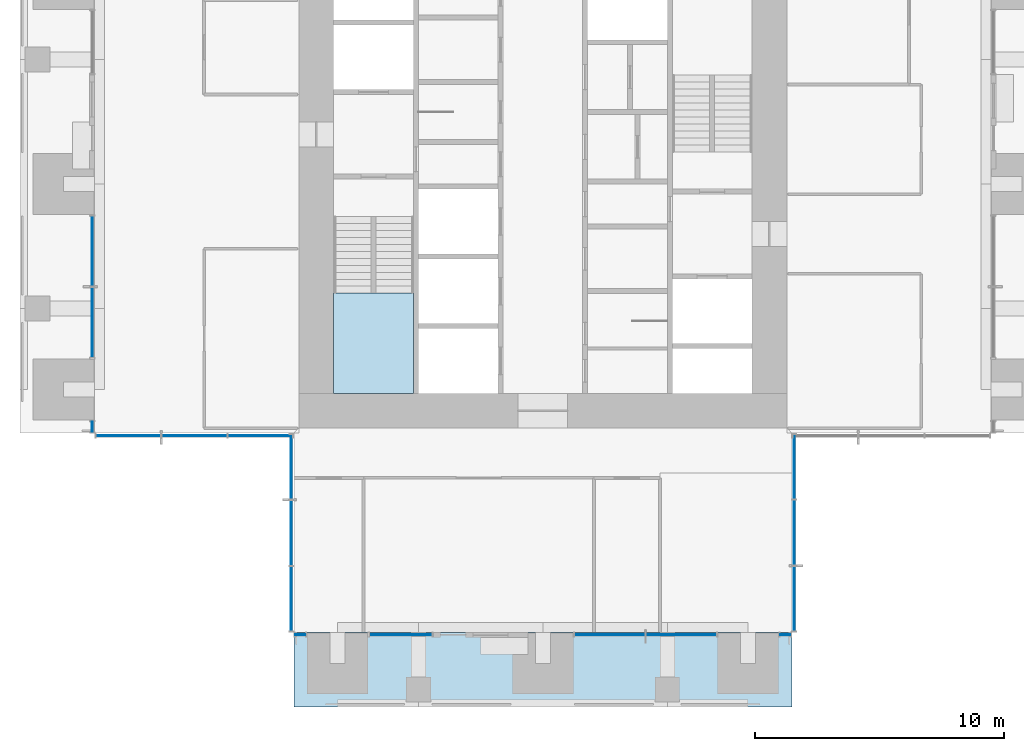
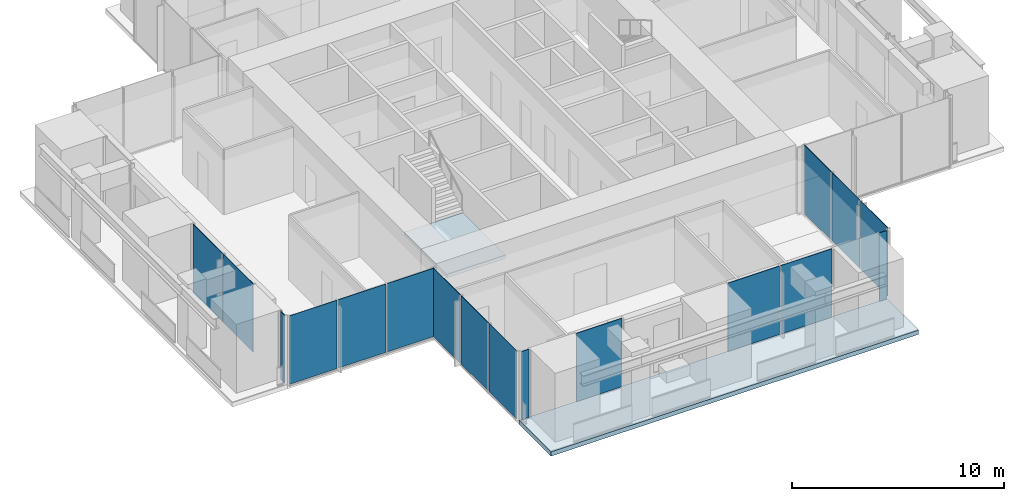
# One storey, part 7 of 17: 17 plates, 2 slabs, 10 elements without a shape of their own.
"""IFC4 building model written with IfcOpenShell, lengths in metres."""

from ifc_helpers import new_model, si_unit, direction, frame, origin, origin_2d, place, context, subcontext, project, spatial, polyline, rectangle, outline, extrude, material, layer, layer_set, type_object, element, aggregate, save


model = new_model("IFC4")

# Units and contexts
model_context = context("Model", 3, precision=1e-05, world=origin(), true_north=direction((0.0, 1.0)))
body_context = subcontext(model_context, "Body", "Model", "MODEL_VIEW")
ifc_project = project(units=[si_unit("LENGTHUNIT", "METRE"), si_unit("AREAUNIT", "SQUARE_METRE"), si_unit("VOLUMEUNIT", "CUBIC_METRE"), si_unit("PLANEANGLEUNIT", "RADIAN"), si_unit("MASSUNIT", "GRAM", prefix="KILO")], contexts=[model_context])

# Site, building, storey
site_placement = place(None, origin())
site = spatial("IfcSite", under=ifc_project, at=site_placement, CompositionType="ELEMENT")
building_placement = place(site_placement, origin())
building = spatial("IfcBuilding", under=site, at=building_placement, Name="Svetlomir Tower", CompositionType="ELEMENT")
storey_placement = place(building_placement, frame((0.0, 0.0, 174.5)))
storey = spatial("IfcBuildingStorey", under=building, at=storey_placement, Name="L41", CompositionType="ELEMENT", Elevation=174.5)

# Curtain wall, plate
ifc_material_1 = material(Name="Bronze anodised aluminium curtain wall", Category="aluminium")
curtain_wall_type = type_object("IfcCurtainWallType", Name="CURTAIN WALL CW1 TOWER OFFICE", PredefinedType="NOTDEFINED", material=ifc_material_1)
curtain_wall_1_placement = place(storey_placement, origin())
curtain_wall_1 = element("IfcCurtainWall", 1, at=curtain_wall_1_placement, inside=storey, type_object=curtain_wall_type, Name="Curtain wall CW1 L41", PredefinedType="NOTDEFINED")
ifc_material_2 = material(Name="Tinted double glazed unit", Category="glass")
ifc_layer_1 = layer(ifc_material_2, 0.031982421875)
ifc_layer_set_1 = layer_set([ifc_layer_1], Name="Tinted double glazed unit")
plate_type = type_object("IfcPlateType", Name="CW1 GLAZED PANEL 32", PredefinedType="CURTAIN_PANEL", material=ifc_layer_set_1)
plate_1_placement = place(storey_placement, frame((11.262451171875, 2.89990234375, 0.06494140625), z_axis=(0.0, 0.0, 1.0), x_axis=(1.0, 0.0, 0.0)))
plate_1 = element("IfcPlate", 2, at=plate_1_placement, type_object=plate_type, Name="CW1 panel 1.1", PredefinedType="CURTAIN_PANEL", context=body_context, shape_type="SweptSolid", body=[
    extrude(rectangle(XDim=0.39501953125, YDim=0.031982421875, at=origin_2d()), origin(), (0.0, 0.0, 1.0), 3.93505859375),
])
aggregate(curtain_wall_1, [plate_1])

curtain_wall_2_placement = place(storey_placement, origin())
curtain_wall_2 = element("IfcCurtainWall", 3, at=curtain_wall_2_placement, inside=storey, type_object=curtain_wall_type, Name="Curtain wall CW1 L41", PredefinedType="NOTDEFINED")
plate_2_placement = place(storey_placement, frame((15.28759765625, 2.89990234375, 0.06494140625), z_axis=(0.0, 0.0, 1.0), x_axis=(1.0, 0.0, 0.0)))
plate_2 = element("IfcPlate", 4, at=plate_2_placement, type_object=plate_type, Name="CW1 panel 1.1", PredefinedType="CURTAIN_PANEL", context=body_context, shape_type="SweptSolid", body=[
    extrude(rectangle(XDim=2.4951171875, YDim=0.031982421875, at=origin_2d()), origin(), (0.0, 0.0, 1.0), 3.93505859375),
])
aggregate(curtain_wall_2, [plate_2])

# Curtain wall, plates
curtain_wall_3_placement = place(storey_placement, origin())
curtain_wall_3 = element("IfcCurtainWall", 5, at=curtain_wall_3_placement, inside=storey, type_object=curtain_wall_type, Name="Curtain wall CW1 L41", PredefinedType="NOTDEFINED")
plate_3_placement = place(storey_placement, frame((23.691162109375, 2.89990234375, 0.06494140625), z_axis=(0.0, 0.0, 1.0), x_axis=(1.0, 0.0, 0.0)))
plate_3 = element("IfcPlate", 6, at=plate_3_placement, type_object=plate_type, Name="CW1 panel 1.1", PredefinedType="CURTAIN_PANEL", context=body_context, shape_type="SweptSolid", body=[
    extrude(rectangle(XDim=2.802490234375, YDim=0.031982421875, at=origin_2d()), origin(), (0.0, 0.0, 1.0), 3.93505859375),
])
plate_4_placement = place(storey_placement, frame((26.558837890625, 2.89990234375, 0.06494140625), z_axis=(0.0, 0.0, 1.0), x_axis=(1.0, 0.0, 0.0)))
plate_4 = element("IfcPlate", 7, at=plate_4_placement, type_object=plate_type, Name="CW1 panel 2.1", PredefinedType="CURTAIN_PANEL", context=body_context, shape_type="SweptSolid", body=[
    extrude(rectangle(XDim=2.802490234375, YDim=0.031982421875, at=origin_2d()), origin(), (0.0, 0.0, 1.0), 3.93505859375),
])
aggregate(curtain_wall_3, [plate_3, plate_4])

# Curtain wall, plate
curtain_wall_4_placement = place(storey_placement, origin())
curtain_wall_4 = element("IfcCurtainWall", 8, at=curtain_wall_4_placement, inside=storey, type_object=curtain_wall_type, Name="Curtain wall CW1 L41", PredefinedType="NOTDEFINED")
plate_5_placement = place(storey_placement, frame((30.737548828125, 2.89990234375, 0.06494140625), z_axis=(0.0, 0.0, 1.0), x_axis=(1.0, 0.0, 0.0)))
plate_5 = element("IfcPlate", 9, at=plate_5_placement, type_object=plate_type, Name="CW1 panel 1.1", PredefinedType="CURTAIN_PANEL", context=body_context, shape_type="SweptSolid", body=[
    extrude(rectangle(XDim=0.39501953125, YDim=0.031982421875, at=origin_2d()), origin(), (0.0, 0.0, 1.0), 3.93505859375),
])
aggregate(curtain_wall_4, [plate_5])

# Curtain wall, plates
curtain_wall_5_placement = place(storey_placement, origin())
curtain_wall_5 = element("IfcCurtainWall", 10, at=curtain_wall_5_placement, inside=storey, type_object=curtain_wall_type, Name="Curtain wall CW1 L41", PredefinedType="NOTDEFINED")
plate_6_placement = place(storey_placement, frame((31.10009765625, 4.349609375, 0.06494140625), z_axis=(0.0, 0.0, 1.0), x_axis=(0.0, 1.0, 0.0)))
plate_6 = element("IfcPlate", 11, at=plate_6_placement, type_object=plate_type, Name="CW1 panel 1.1", PredefinedType="CURTAIN_PANEL", context=body_context, shape_type="SweptSolid", body=[
    extrude(rectangle(XDim=2.569091796875, YDim=0.031982421875, at=origin_2d()), origin(), (0.0, 0.0, 1.0), 3.93505859375),
])
plate_7_placement = place(storey_placement, frame((31.10009765625, 7.0, 0.06494140625), z_axis=(0.0, 0.0, 1.0), x_axis=(0.0, 1.0, 0.0)))
plate_7 = element("IfcPlate", 12, at=plate_7_placement, type_object=plate_type, Name="CW1 panel 2.1", PredefinedType="CURTAIN_PANEL", context=body_context, shape_type="SweptSolid", body=[
    extrude(rectangle(XDim=2.6015625, YDim=0.031982421875, at=origin_2d()), origin(), (0.0, 0.0, 1.0), 3.93505859375),
])
plate_8_placement = place(storey_placement, frame((31.10009765625, 9.650390625, 0.06494140625), z_axis=(0.0, 0.0, 1.0), x_axis=(0.0, 1.0, 0.0)))
plate_8 = element("IfcPlate", 13, at=plate_8_placement, type_object=plate_type, Name="CW1 panel 3.1", PredefinedType="CURTAIN_PANEL", context=body_context, shape_type="SweptSolid", body=[
    extrude(rectangle(XDim=2.569091796875, YDim=0.031982421875, at=origin_2d()), origin(), (0.0, 0.0, 1.0), 3.93505859375),
])
aggregate(curtain_wall_5, [plate_6, plate_7, plate_8])

curtain_wall_6_placement = place(storey_placement, origin())
curtain_wall_6 = element("IfcCurtainWall", 14, at=curtain_wall_6_placement, inside=storey, type_object=curtain_wall_type, Name="Curtain wall CW1 L41", PredefinedType="NOTDEFINED")
plate_9_placement = place(storey_placement, frame((2.89990234375, 18.308837890625, 0.06494140625), z_axis=(0.0, 0.0, 1.0), x_axis=(0.0, -1.0, 0.0)))
plate_9 = element("IfcPlate", 15, at=plate_9_placement, type_object=plate_type, Name="CW1 panel 1.1", PredefinedType="CURTAIN_PANEL", context=body_context, shape_type="SweptSolid", body=[
    extrude(rectangle(XDim=2.802490234375, YDim=0.031982421875, at=origin_2d()), origin(), (0.0, 0.0, 1.0), 3.93505859375),
])
plate_10_placement = place(storey_placement, frame((2.89990234375, 15.441162109375, 0.06494140625), z_axis=(0.0, 0.0, 1.0), x_axis=(0.0, -1.0, 0.0)))
plate_10 = element("IfcPlate", 16, at=plate_10_placement, type_object=plate_type, Name="CW1 panel 2.1", PredefinedType="CURTAIN_PANEL", context=body_context, shape_type="SweptSolid", body=[
    extrude(rectangle(XDim=2.802490234375, YDim=0.031982421875, at=origin_2d()), origin(), (0.0, 0.0, 1.0), 3.93505859375),
])
aggregate(curtain_wall_6, [plate_9, plate_10])

# Curtain wall, plate
curtain_wall_7_placement = place(storey_placement, origin())
curtain_wall_7 = element("IfcCurtainWall", 17, at=curtain_wall_7_placement, inside=storey, type_object=curtain_wall_type, Name="Curtain wall CW1 L41", PredefinedType="NOTDEFINED")
plate_11_placement = place(storey_placement, frame((2.89990234375, 11.262451171875, 0.06494140625), z_axis=(0.0, 0.0, 1.0), x_axis=(0.0, -1.0, 0.0)))
plate_11 = element("IfcPlate", 18, at=plate_11_placement, type_object=plate_type, Name="CW1 panel 1.1", PredefinedType="CURTAIN_PANEL", context=body_context, shape_type="SweptSolid", body=[
    extrude(rectangle(XDim=0.39501953125, YDim=0.031982421875, at=origin_2d()), origin(), (0.0, 0.0, 1.0), 3.93505859375),
])
aggregate(curtain_wall_7, [plate_11])

# Curtain wall, plates
curtain_wall_8_placement = place(storey_placement, origin())
curtain_wall_8 = element("IfcCurtainWall", 19, at=curtain_wall_8_placement, inside=storey, type_object=curtain_wall_type, Name="Curtain wall CW1 L41", PredefinedType="NOTDEFINED")
plate_12_placement = place(storey_placement, frame((4.349609375, 10.89990234375, 0.06494140625), z_axis=(0.0, 0.0, 1.0), x_axis=(1.0, 0.0, 0.0)))
plate_12 = element("IfcPlate", 20, at=plate_12_placement, type_object=plate_type, Name="CW1 panel 1.1", PredefinedType="CURTAIN_PANEL", context=body_context, shape_type="SweptSolid", body=[
    extrude(rectangle(XDim=2.569091796875, YDim=0.031982421875, at=origin_2d()), origin(), (0.0, 0.0, 1.0), 3.93505859375),
])
plate_13_placement = place(storey_placement, frame((7.0, 10.89990234375, 0.06494140625), z_axis=(0.0, 0.0, 1.0), x_axis=(1.0, 0.0, 0.0)))
plate_13 = element("IfcPlate", 21, at=plate_13_placement, type_object=plate_type, Name="CW1 panel 2.1", PredefinedType="CURTAIN_PANEL", context=body_context, shape_type="SweptSolid", body=[
    extrude(rectangle(XDim=2.6015625, YDim=0.031982421875, at=origin_2d()), origin(), (0.0, 0.0, 1.0), 3.93505859375),
])
plate_14_placement = place(storey_placement, frame((9.650390625, 10.89990234375, 0.06494140625), z_axis=(0.0, 0.0, 1.0), x_axis=(1.0, 0.0, 0.0)))
plate_14 = element("IfcPlate", 22, at=plate_14_placement, type_object=plate_type, Name="CW1 panel 3.1", PredefinedType="CURTAIN_PANEL", context=body_context, shape_type="SweptSolid", body=[
    extrude(rectangle(XDim=2.569091796875, YDim=0.031982421875, at=origin_2d()), origin(), (0.0, 0.0, 1.0), 3.93505859375),
])
aggregate(curtain_wall_8, [plate_12, plate_13, plate_14])

curtain_wall_9_placement = place(storey_placement, origin())
curtain_wall_9 = element("IfcCurtainWall", 23, at=curtain_wall_9_placement, inside=storey, type_object=curtain_wall_type, Name="Curtain wall CW1 L41", PredefinedType="NOTDEFINED")
plate_15_placement = place(storey_placement, frame((10.89990234375, 9.650390625, 0.06494140625), z_axis=(0.0, 0.0, 1.0), x_axis=(0.0, -1.0, 0.0)))
plate_15 = element("IfcPlate", 24, at=plate_15_placement, type_object=plate_type, Name="CW1 panel 1.1", PredefinedType="CURTAIN_PANEL", context=body_context, shape_type="SweptSolid", body=[
    extrude(rectangle(XDim=2.569091796875, YDim=0.031982421875, at=origin_2d()), origin(), (0.0, 0.0, 1.0), 3.93505859375),
])
plate_16_placement = place(storey_placement, frame((10.89990234375, 7.0, 0.06494140625), z_axis=(0.0, 0.0, 1.0), x_axis=(0.0, -1.0, 0.0)))
plate_16 = element("IfcPlate", 25, at=plate_16_placement, type_object=plate_type, Name="CW1 panel 2.1", PredefinedType="CURTAIN_PANEL", context=body_context, shape_type="SweptSolid", body=[
    extrude(rectangle(XDim=2.6015625, YDim=0.031982421875, at=origin_2d()), origin(), (0.0, 0.0, 1.0), 3.93505859375),
])
plate_17_placement = place(storey_placement, frame((10.89990234375, 4.349609375, 0.06494140625), z_axis=(0.0, 0.0, 1.0), x_axis=(0.0, -1.0, 0.0)))
plate_17 = element("IfcPlate", 26, at=plate_17_placement, type_object=plate_type, Name="CW1 panel 3.1", PredefinedType="CURTAIN_PANEL", context=body_context, shape_type="SweptSolid", body=[
    extrude(rectangle(XDim=2.569091796875, YDim=0.031982421875, at=origin_2d()), origin(), (0.0, 0.0, 1.0), 3.93505859375),
])
aggregate(curtain_wall_9, [plate_15, plate_16, plate_17])

# Slab
ifc_material_3 = material(Name="Concrete C60/75", Category="concrete")
ifc_layer_2 = layer(ifc_material_3, 0.25)
ifc_layer_set_2 = layer_set([ifc_layer_2], Name="Concrete C60/75")
slab_type_1 = type_object("IfcSlabType", Name="PLANTED LOGGIA SLAB 250", PredefinedType="FLOOR", material=ifc_layer_set_2)
slab_1_placement = place(storey_placement, frame((0.0, 0.0, -0.25)))
element("IfcSlab", 27, at=slab_1_placement, inside=storey, type_object=slab_type_1, Name="L41 S planted loggia", PredefinedType="FLOOR", context=body_context, shape_type="SweptSolid", body=[
    extrude(outline(polyline([(11.0, 0.0), (31.0, 0.0), (31.0, 3.0), (11.0, 3.0), (11.0, 0.0)])), origin(), (0.0, 0.0, 1.0), 0.25),
])

# Stair, slab
ifc_material_4 = material(Name="Concrete C60/75", Category="concrete")
stair_type = type_object("IfcStairType", Name="EXIT STAIR 3200 RISE 4000", PredefinedType="HALF_TURN_STAIR", material=ifc_material_4)
stair_placement = place(storey_placement, origin())
stair = element("IfcStair", 28, at=stair_placement, inside=storey, type_object=stair_type, Name="Stair S1 L41 to L42", PredefinedType="HALF_TURN_STAIR")
ifc_material_5 = material(Name="Concrete C60/75", Category="concrete")
ifc_layer_3 = layer(ifc_material_5, 0.199951171875)
ifc_layer_set_3 = layer_set([ifc_layer_3], Name="Concrete C60/75")
slab_type_2 = type_object("IfcSlabType", Name="STAIR LANDING 200", PredefinedType="LANDING", material=ifc_layer_set_3)
slab_2_placement = place(storey_placement, frame((0.0, 0.0, 1.800048828125)))
slab_2 = element("IfcSlab", 29, at=slab_2_placement, type_object=slab_type_2, Name="S1 landing 1", PredefinedType="LANDING", context=body_context, shape_type="SweptSolid", body=[
    extrude(outline(polyline([(12.60009765625, 12.60009765625), (15.800048828125, 12.60009765625), (15.800048828125, 16.6201171875), (12.60009765625, 16.6201171875), (12.60009765625, 12.60009765625)])), origin(), (0.0, 0.0, 1.0), 0.199951171875),
])
aggregate(stair, [slab_2])

save(model, "model.ifc")
